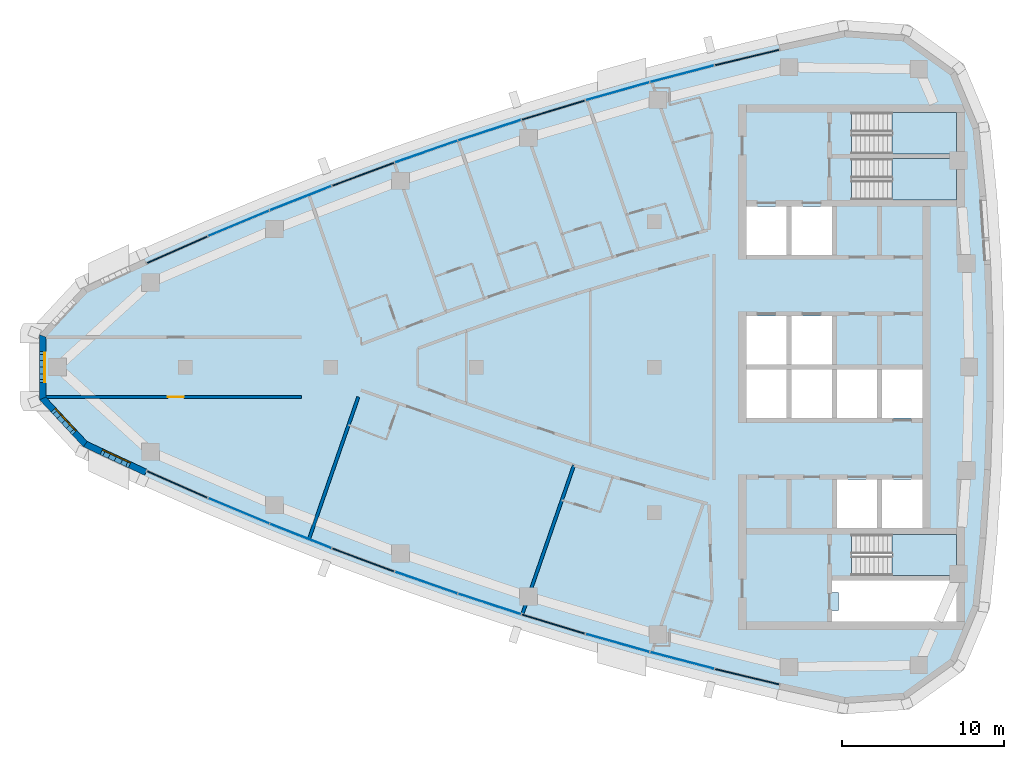
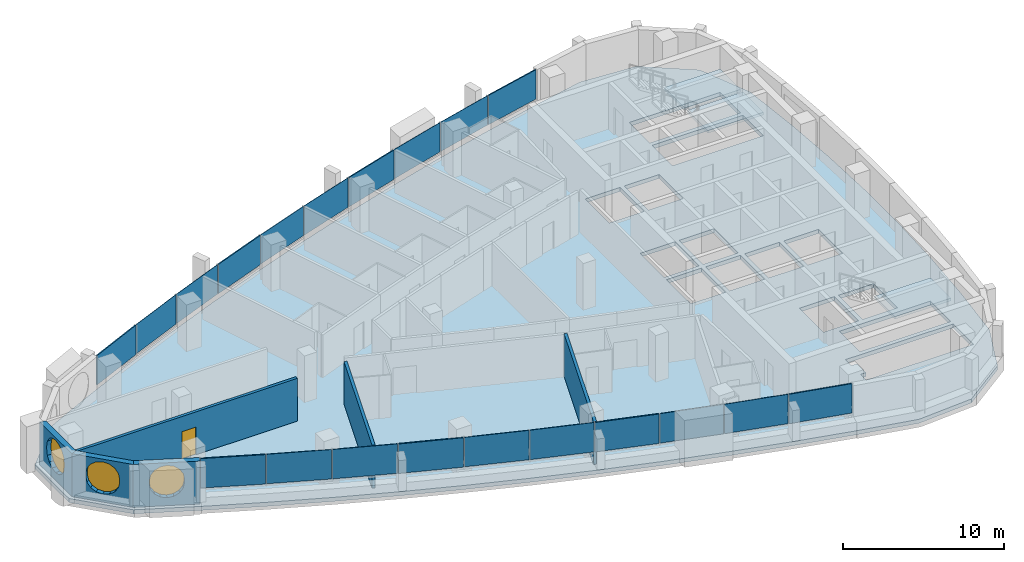
# One storey, part 6 of 14: 20 plates, 6 walls, 4 slabs, 3 windows, 1 door, 5 openings, 13 elements without a shape of their own.
"""IFC4 building model written with IfcOpenShell, lengths in metres."""

from ifc_helpers import new_model, si_unit, direction, frame, frame_2d, origin, origin_2d, place, context, subcontext, project, spatial, polyline, rectangle, outline, extrude, material, layer, layer_set, type_object, element, fill, aggregate, save


model = new_model("IFC4")

# Units and contexts
model_context = context("Model", 3, precision=1e-05, world=origin(), true_north=direction((0.0, 1.0)))
body_context = subcontext(model_context, "Body", "Model", "MODEL_VIEW")
ifc_project = project(units=[si_unit("LENGTHUNIT", "METRE"), si_unit("AREAUNIT", "SQUARE_METRE"), si_unit("VOLUMEUNIT", "CUBIC_METRE"), si_unit("PLANEANGLEUNIT", "RADIAN"), si_unit("MASSUNIT", "GRAM", prefix="KILO")], contexts=[model_context])

# Site, building, storey
site_placement = place(None, origin())
site = spatial("IfcSite", under=ifc_project, at=site_placement, CompositionType="ELEMENT")
building_placement = place(site_placement, origin())
building = spatial("IfcBuilding", under=site, at=building_placement, Name="Ostrand Prow Hotel Tower", CompositionType="ELEMENT")
storey_placement = place(building_placement, frame((0.0, 0.0, 289.199951171875)))
storey = spatial("IfcBuildingStorey", under=building, at=storey_placement, Name="L73", CompositionType="ELEMENT", Elevation=289.199951171875)

# Curtain wall, plate
ifc_material_1 = material(Name="Insulated glass in bronze anodised frame", Category="glass")
ifc_layer_1 = layer(ifc_material_1, 0.199951171875)
ifc_layer_set_1 = layer_set([ifc_layer_1], Name="Insulated glass in bronze anodised frame")
curtain_wall_type = type_object("IfcCurtainWallType", Name="Strip curtain wall, fritted glass over bronze spandrel", PredefinedType="NOTDEFINED", material=ifc_layer_set_1)
curtain_wall_1_placement = place(storey_placement, origin())
curtain_wall_1 = element("IfcCurtainWall", 1, at=curtain_wall_1_placement, inside=storey, type_object=curtain_wall_type, Name="CW1 run CWS1", PredefinedType="NOTDEFINED")
ifc_material_2 = material(Name="Ceramic-fritted glass", Category="glass")
ifc_layer_2 = layer(ifc_material_2, 0.031982421875)
ifc_layer_set_2 = layer_set([ifc_layer_2], Name="Ceramic-fritted glass")
plate_type_1 = type_object("IfcPlateType", Name="Dot-fritted ceramic glass unit 32 mm", PredefinedType="CURTAIN_PANEL", material=ifc_layer_set_2)
plate_1_placement = place(storey_placement, frame((19.297119140625, -8.893798828125, 1.02001953125), z_axis=(0.0, 0.0, 1.0), x_axis=(0.922719840955, -0.385471263659, 0.0)))
plate_1 = element("IfcPlate", 2, at=plate_1_placement, type_object=plate_type_1, Name="CW1 PN-D panel 2.2", PredefinedType="CURTAIN_PANEL", context=body_context, shape_type="SweptSolid", body=[
    extrude(rectangle(XDim=4.079833984375, YDim=0.031982421875, at=origin_2d()), origin(), (0.0, 0.0, 1.0), 2.22998046875),
])

curtain_wall_2_placement = place(storey_placement, origin())
curtain_wall_2 = element("IfcCurtainWall", 3, at=curtain_wall_2_placement, inside=storey, type_object=curtain_wall_type, Name="CW1 run CWS2", PredefinedType="NOTDEFINED")
plate_2_placement = place(storey_placement, frame((23.132568359375, -10.450927734375, 1.02001953125), z_axis=(0.0, 0.0, 1.0), x_axis=(0.930281895249, -0.366845465248, 0.0)))
plate_2 = element("IfcPlate", 4, at=plate_2_placement, type_object=plate_type_1, Name="CW1 PN-D panel 1.2", PredefinedType="CURTAIN_PANEL", context=body_context, shape_type="SweptSolid", body=[
    extrude(rectangle(XDim=4.079833984375, YDim=0.031982421875, at=origin_2d()), origin(), (0.0, 0.0, 1.0), 2.22998046875),
])

# Curtain wall, plates
curtain_wall_3_placement = place(storey_placement, origin())
curtain_wall_3 = element("IfcCurtainWall", 5, at=curtain_wall_3_placement, inside=storey, type_object=curtain_wall_type, Name="CW1 run CWS3", PredefinedType="NOTDEFINED")
plate_3_placement = place(storey_placement, frame((30.8935546875, -13.33251953125, 1.02001953125), z_axis=(0.0, 0.0, 1.0), x_axis=(0.944274730614, -0.329158370885, 0.0)))
plate_3 = element("IfcPlate", 6, at=plate_3_placement, type_object=plate_type_1, Name="CW1 PN-D panel 1.2", PredefinedType="CURTAIN_PANEL", context=body_context, shape_type="SweptSolid", body=[
    extrude(rectangle(XDim=4.079833984375, YDim=0.031982421875, at=origin_2d()), origin(), (0.0, 0.0, 1.0), 2.22998046875),
])
plate_4_placement = place(storey_placement, frame((34.81591796875, -14.65576171875, 1.02001953125), z_axis=(0.0, 0.0, 1.0), x_axis=(0.950700464612, -0.310110668289, 0.0)))
plate_4 = element("IfcPlate", 7, at=plate_4_placement, type_object=plate_type_1, Name="CW1 PN-D panel 2.2", PredefinedType="CURTAIN_PANEL", context=body_context, shape_type="SweptSolid", body=[
    extrude(rectangle(XDim=4.079833984375, YDim=0.031982421875, at=origin_2d()), origin(), (0.0, 0.0, 1.0), 2.22998046875),
])
aggregate(curtain_wall_3, [plate_3, plate_4])

# Curtain wall, plate
curtain_wall_4_placement = place(storey_placement, origin())
curtain_wall_4 = element("IfcCurtainWall", 8, at=curtain_wall_4_placement, inside=storey, type_object=curtain_wall_type, Name="CW1 run CWS4", PredefinedType="NOTDEFINED")
plate_5_placement = place(storey_placement, frame((42.736572265625, -17.064453125, 1.02001953125), z_axis=(0.0, 0.0, 1.0), x_axis=(0.962396468548, -0.271648738865, 0.0)))
plate_5 = element("IfcPlate", 9, at=plate_5_placement, type_object=plate_type_1, Name="CW1 PN-D panel 2.2", PredefinedType="CURTAIN_PANEL", context=body_context, shape_type="SweptSolid", body=[
    extrude(rectangle(XDim=4.079833984375, YDim=0.031982421875, at=origin_2d()), origin(), (0.0, 0.0, 1.0), 2.22998046875),
])

curtain_wall_5_placement = place(storey_placement, origin())
curtain_wall_5 = element("IfcCurtainWall", 10, at=curtain_wall_5_placement, inside=storey, type_object=curtain_wall_type, Name="CW1 run CWS5", PredefinedType="NOTDEFINED")
plate_6_placement = place(storey_placement, frame((46.731689453125, -18.148681640625, 1.02001953125), z_axis=(0.0, 0.0, 1.0), x_axis=(0.967662519855, -0.252248384867, 0.0)))
plate_6 = element("IfcPlate", 11, at=plate_6_placement, type_object=plate_type_1, Name="CW1 PN-D panel 1.2", PredefinedType="CURTAIN_PANEL", context=body_context, shape_type="SweptSolid", body=[
    extrude(rectangle(XDim=4.079833984375, YDim=0.031982421875, at=origin_2d()), origin(), (0.0, 0.0, 1.0), 2.22998046875),
])

curtain_wall_6_placement = place(storey_placement, origin())
curtain_wall_6 = element("IfcCurtainWall", 12, at=curtain_wall_6_placement, inside=storey, type_object=curtain_wall_type, Name="CW1 run CWN1", PredefinedType="NOTDEFINED")
plate_7_placement = place(storey_placement, frame((46.731689453125, 18.148681640625, 1.02001953125), z_axis=(0.0, 0.0, 1.0), x_axis=(-0.967662519855, -0.252248384867, 0.0)))
plate_7 = element("IfcPlate", 13, at=plate_7_placement, type_object=plate_type_1, Name="CW1 PN-D panel 2.2", PredefinedType="CURTAIN_PANEL", context=body_context, shape_type="SweptSolid", body=[
    extrude(rectangle(XDim=4.079833984375, YDim=0.031982421875, at=origin_2d()), origin(), (0.0, 0.0, 1.0), 2.22998046875),
])

curtain_wall_7_placement = place(storey_placement, origin())
curtain_wall_7 = element("IfcCurtainWall", 14, at=curtain_wall_7_placement, inside=storey, type_object=curtain_wall_type, Name="CW1 run CWN2", PredefinedType="NOTDEFINED")
plate_8_placement = place(storey_placement, frame((42.736572265625, 17.064453125, 1.02001953125), z_axis=(0.0, 0.0, 1.0), x_axis=(-0.962396468548, -0.271648738865, 0.0)))
plate_8 = element("IfcPlate", 15, at=plate_8_placement, type_object=plate_type_1, Name="CW1 PN-D panel 1.2", PredefinedType="CURTAIN_PANEL", context=body_context, shape_type="SweptSolid", body=[
    extrude(rectangle(XDim=4.079833984375, YDim=0.031982421875, at=origin_2d()), origin(), (0.0, 0.0, 1.0), 2.22998046875),
])

# Curtain wall, plates
curtain_wall_8_placement = place(storey_placement, origin())
curtain_wall_8 = element("IfcCurtainWall", 16, at=curtain_wall_8_placement, inside=storey, type_object=curtain_wall_type, Name="CW1 run CWN3", PredefinedType="NOTDEFINED")
plate_9_placement = place(storey_placement, frame((34.81591796875, 14.65576171875, 1.02001953125), z_axis=(0.0, 0.0, 1.0), x_axis=(-0.950700464612, -0.310110668289, 0.0)))
plate_9 = element("IfcPlate", 17, at=plate_9_placement, type_object=plate_type_1, Name="CW1 PN-D panel 1.2", PredefinedType="CURTAIN_PANEL", context=body_context, shape_type="SweptSolid", body=[
    extrude(rectangle(XDim=4.079833984375, YDim=0.031982421875, at=origin_2d()), origin(), (0.0, 0.0, 1.0), 2.22998046875),
])
plate_10_placement = place(storey_placement, frame((30.8935546875, 13.33251953125, 1.02001953125), z_axis=(0.0, 0.0, 1.0), x_axis=(-0.944274730614, -0.329158370885, 0.0)))
plate_10 = element("IfcPlate", 18, at=plate_10_placement, type_object=plate_type_1, Name="CW1 PN-D panel 2.2", PredefinedType="CURTAIN_PANEL", context=body_context, shape_type="SweptSolid", body=[
    extrude(rectangle(XDim=4.079833984375, YDim=0.031982421875, at=origin_2d()), origin(), (0.0, 0.0, 1.0), 2.22998046875),
])
aggregate(curtain_wall_8, [plate_9, plate_10])

# Curtain wall, plate
curtain_wall_9_placement = place(storey_placement, origin())
curtain_wall_9 = element("IfcCurtainWall", 19, at=curtain_wall_9_placement, inside=storey, type_object=curtain_wall_type, Name="CW1 run CWN4", PredefinedType="NOTDEFINED")
plate_11_placement = place(storey_placement, frame((23.132568359375, 10.450927734375, 1.02001953125), z_axis=(0.0, 0.0, 1.0), x_axis=(-0.930281895249, -0.366845465248, 0.0)))
plate_11 = element("IfcPlate", 20, at=plate_11_placement, type_object=plate_type_1, Name="CW1 PN-D panel 2.2", PredefinedType="CURTAIN_PANEL", context=body_context, shape_type="SweptSolid", body=[
    extrude(rectangle(XDim=4.079833984375, YDim=0.031982421875, at=origin_2d()), origin(), (0.0, 0.0, 1.0), 2.22998046875),
])

curtain_wall_10_placement = place(storey_placement, origin())
curtain_wall_10 = element("IfcCurtainWall", 21, at=curtain_wall_10_placement, inside=storey, type_object=curtain_wall_type, Name="CW1 run CWN5", PredefinedType="NOTDEFINED")
plate_12_placement = place(storey_placement, frame((19.297119140625, 8.893798828125, 1.02001953125), z_axis=(0.0, 0.0, 1.0), x_axis=(-0.922719840955, -0.385471263659, 0.0)))
plate_12 = element("IfcPlate", 22, at=plate_12_placement, type_object=plate_type_1, Name="CW1 PN-D panel 1.2", PredefinedType="CURTAIN_PANEL", context=body_context, shape_type="SweptSolid", body=[
    extrude(rectangle(XDim=4.079833984375, YDim=0.031982421875, at=origin_2d()), origin(), (0.0, 0.0, 1.0), 2.22998046875),
])

# Plate
ifc_material_3 = material(Name="Fritted glass in bronze vent frame", Category="glass")
ifc_layer_3 = layer(ifc_material_3, 0.080078125)
ifc_layer_set_3 = layer_set([ifc_layer_3], Name="Fritted glass in bronze vent frame")
plate_type_2 = type_object("IfcPlateType", Name="Operable vent panel 80 mm", PredefinedType="CURTAIN_PANEL", material=ifc_layer_set_3)
plate_13_placement = place(storey_placement, frame((15.493408203125, -7.259765625, 1.02001953125), z_axis=(0.0, 0.0, 1.0), x_axis=(0.914785615941, -0.403939694592, 0.0)))
plate_13 = element("IfcPlate", 23, at=plate_13_placement, type_object=plate_type_2, Name="CW1 PN-O2 panel 1.2", PredefinedType="CURTAIN_PANEL", context=body_context, shape_type="SweptSolid", body=[
    extrude(rectangle(XDim=4.079833984375, YDim=0.080078125, at=origin_2d()), origin(), (0.0, 0.0, 1.0), 2.22998046875),
])

aggregate(curtain_wall_1, [plate_13, plate_1])

plate_14_placement = place(storey_placement, frame((26.99853515625, -11.930908203125, 1.02001953125), z_axis=(0.0, 0.0, 1.0), x_axis=(0.937468017947, -0.348071422738, 0.0)))
plate_14 = element("IfcPlate", 24, at=plate_14_placement, type_object=plate_type_2, Name="CW1 PN-O2 panel 2.2", PredefinedType="CURTAIN_PANEL", context=body_context, shape_type="SweptSolid", body=[
    extrude(rectangle(XDim=4.079833984375, YDim=0.080078125, at=origin_2d()), origin(), (0.0, 0.0, 1.0), 2.22998046875),
])

aggregate(curtain_wall_2, [plate_2, plate_14])

plate_15_placement = place(storey_placement, frame((38.76416015625, -15.89990234375, 1.02001953125), z_axis=(0.0, 0.0, 1.0), x_axis=(0.956742015769, -0.290937648411, 0.0)))
plate_15 = element("IfcPlate", 25, at=plate_15_placement, type_object=plate_type_2, Name="CW1 PN-O2 panel 1.2", PredefinedType="CURTAIN_PANEL", context=body_context, shape_type="SweptSolid", body=[
    extrude(rectangle(XDim=4.079833984375, YDim=0.080078125, at=origin_2d()), origin(), (0.0, 0.0, 1.0), 2.22998046875),
])

aggregate(curtain_wall_4, [plate_15, plate_5])

plate_16_placement = place(storey_placement, frame((50.74755859375, -19.152587890625, 1.02001953125), z_axis=(0.0, 0.0, 1.0), x_axis=(0.972537533869, -0.232746096028, 0.0)))
plate_16 = element("IfcPlate", 26, at=plate_16_placement, type_object=plate_type_2, Name="CW1 PN-O2 panel 2.2", PredefinedType="CURTAIN_PANEL", context=body_context, shape_type="SweptSolid", body=[
    extrude(rectangle(XDim=4.079833984375, YDim=0.080078125, at=origin_2d()), origin(), (0.0, 0.0, 1.0), 2.22998046875),
])

aggregate(curtain_wall_5, [plate_6, plate_16])

plate_17_placement = place(storey_placement, frame((50.74755859375, 19.152587890625, 1.02001953125), z_axis=(0.0, 0.0, 1.0), x_axis=(-0.972537533869, -0.232746096028, 0.0)))
plate_17 = element("IfcPlate", 27, at=plate_17_placement, type_object=plate_type_2, Name="CW1 PN-O2 panel 1.2", PredefinedType="CURTAIN_PANEL", context=body_context, shape_type="SweptSolid", body=[
    extrude(rectangle(XDim=4.079833984375, YDim=0.080078125, at=origin_2d()), origin(), (0.0, 0.0, 1.0), 2.22998046875),
])

aggregate(curtain_wall_6, [plate_17, plate_7])

plate_18_placement = place(storey_placement, frame((38.76416015625, 15.89990234375, 1.02001953125), z_axis=(0.0, 0.0, 1.0), x_axis=(-0.956742015769, -0.290937648411, 0.0)))
plate_18 = element("IfcPlate", 28, at=plate_18_placement, type_object=plate_type_2, Name="CW1 PN-O2 panel 2.2", PredefinedType="CURTAIN_PANEL", context=body_context, shape_type="SweptSolid", body=[
    extrude(rectangle(XDim=4.079833984375, YDim=0.080078125, at=origin_2d()), origin(), (0.0, 0.0, 1.0), 2.22998046875),
])

aggregate(curtain_wall_7, [plate_8, plate_18])

plate_19_placement = place(storey_placement, frame((26.99853515625, 11.930908203125, 1.02001953125), z_axis=(0.0, 0.0, 1.0), x_axis=(-0.937468017947, -0.348071422738, 0.0)))
plate_19 = element("IfcPlate", 29, at=plate_19_placement, type_object=plate_type_2, Name="CW1 PN-O2 panel 1.2", PredefinedType="CURTAIN_PANEL", context=body_context, shape_type="SweptSolid", body=[
    extrude(rectangle(XDim=4.079833984375, YDim=0.080078125, at=origin_2d()), origin(), (0.0, 0.0, 1.0), 2.22998046875),
])

aggregate(curtain_wall_9, [plate_19, plate_11])

plate_20_placement = place(storey_placement, frame((15.493408203125, 7.259765625, 1.02001953125), z_axis=(0.0, 0.0, 1.0), x_axis=(-0.914785615941, -0.403939694592, 0.0)))
plate_20 = element("IfcPlate", 30, at=plate_20_placement, type_object=plate_type_2, Name="CW1 PN-O2 panel 2.2", PredefinedType="CURTAIN_PANEL", context=body_context, shape_type="SweptSolid", body=[
    extrude(rectangle(XDim=4.079833984375, YDim=0.080078125, at=origin_2d()), origin(), (0.0, 0.0, 1.0), 2.22998046875),
])

aggregate(curtain_wall_10, [plate_12, plate_20])

# Slab, opening
ifc_material_4 = material(Name="Concrete C40/50", Category="concrete")
ifc_layer_4 = layer(ifc_material_4, 0.300048828125)
ifc_layer_set_4 = layer_set([ifc_layer_4], Name="Concrete C40/50")
slab_type_1 = type_object("IfcSlabType", Name="PT flat plate 300 C40/50", PredefinedType="FLOOR", material=ifc_layer_set_4)
slab_1_placement = place(storey_placement, frame((0.0, 0.0, -0.300048828125)))
slab_1 = element("IfcSlab", 31, at=slab_1_placement, inside=storey, type_object=slab_type_1, Name="Floor slab L73-1", PredefinedType="FLOOR", context=body_context, shape_type="SweptSolid", body=[
    extrude(outline(polyline([(9.560791015625, 5.168212890625), (13.365478515625, 6.9404296875), (17.1630859375, 8.6171875), (20.993408203125, 10.21728515625), (24.855224609375, 11.740234375), (28.746826171875, 13.185302734375), (32.666748046875, 14.551513671875), (36.61328125, 15.8388671875), (40.5849609375, 17.046630859375), (44.580078125, 18.17431640625), (48.596923828125, 19.221435546875), (52.634033203125, 20.187744140625), (56.72265625, 21.07958984375), (60.634765625, 20.80029296875), (63.84765625, 18.49072265625), (65.35888671875, 14.87060546875), (65.796875, 10.611083984375), (66.0869140625, 6.37158203125), (66.23193359375, 2.124755859375), (66.23193359375, -2.124755859375), (66.0869140625, -6.37158203125), (65.796875, -10.611083984375), (65.35888671875, -14.87060546875), (63.84765625, -18.49072265625), (60.634765625, -20.80029296875), (56.72265625, -21.07958984375), (52.634033203125, -20.187744140625), (48.596923828125, -19.221435546875), (44.580078125, -18.17431640625), (40.5849609375, -17.046630859375), (36.61328125, -15.8388671875), (32.666748046875, -14.551513671875), (28.746826171875, -13.185302734375), (24.855224609375, -11.740234375), (20.993408203125, -10.21728515625), (17.1630859375, -8.6171875), (13.365478515625, -6.9404296875), (9.560791015625, -5.168212890625), (6.71484375, -2.112548828125), (6.71484375, 2.112548828125), (9.560791015625, 5.168212890625)]), holes=[polyline([(50.699951171875, 6.949951171875), (53.199951171875, 6.949951171875), (53.199951171875, 9.949951171875), (50.699951171875, 9.949951171875), (50.699951171875, 6.949951171875)]), polyline([(53.5, 6.949951171875), (56.0, 6.949951171875), (56.0, 9.949951171875), (53.5, 9.949951171875), (53.5, 6.949951171875)]), polyline([(50.699951171875, 0.14990234375), (53.199951171875, 0.14990234375), (53.199951171875, 3.14990234375), (50.699951171875, 3.14990234375), (50.699951171875, 0.14990234375)]), polyline([(53.5, 0.14990234375), (56.0, 0.14990234375), (56.0, 3.14990234375), (53.5, 3.14990234375), (53.5, 0.14990234375)]), polyline([(50.699951171875, -3.14990234375), (53.199951171875, -3.14990234375), (53.199951171875, -0.14990234375), (50.699951171875, -0.14990234375), (50.699951171875, -3.14990234375)]), polyline([(53.5, -3.14990234375), (56.0, -3.14990234375), (56.0, -0.14990234375), (53.5, -0.14990234375), (53.5, -3.14990234375)]), polyline([(56.300048828125, -3.14990234375), (58.800048828125, -3.14990234375), (58.800048828125, -0.14990234375), (56.300048828125, -0.14990234375), (56.300048828125, -3.14990234375)]), polyline([(59.10009765625, -3.14990234375), (61.60009765625, -3.14990234375), (61.60009765625, -0.14990234375), (59.10009765625, -0.14990234375), (59.10009765625, -3.14990234375)]), polyline([(56.300048828125, -9.949951171875), (58.800048828125, -9.949951171875), (58.800048828125, -6.949951171875), (56.300048828125, -6.949951171875), (56.300048828125, -9.949951171875)]), polyline([(59.10009765625, -9.949951171875), (61.60009765625, -9.949951171875), (61.60009765625, -6.949951171875), (59.10009765625, -6.949951171875), (59.10009765625, -9.949951171875)]), polyline([(57.200927734375, 10.35107421875), (57.200927734375, 12.89892578125), (63.718994140625, 12.89892578125), (63.718994140625, 10.35107421875), (57.200927734375, 10.35107421875)]), polyline([(57.200927734375, 13.200927734375), (57.200927734375, 15.7490234375), (63.718994140625, 15.7490234375), (63.718994140625, 13.200927734375), (57.200927734375, 13.200927734375)]), polyline([(57.200927734375, -12.89892578125), (57.200927734375, -10.35107421875), (63.718994140625, -10.35107421875), (63.718994140625, -12.89892578125), (57.200927734375, -12.89892578125)]), polyline([(56.0, -13.949951171875), (56.0, -13.199951171875), (63.719970703125, -13.199951171875), (63.719970703125, -15.75), (56.0, -15.75), (56.0, -15.050048828125), (56.39990234375, -15.050048828125), (56.39990234375, -13.949951171875), (56.0, -13.949951171875)])]), origin(), (0.0, 0.0, 1.0), 0.300048828125),
])
opening_1_placement = place(slab_1_placement, origin())
element("IfcOpeningElement", 32, at=opening_1_placement, cuts=slab_1, Name="Shaft opening 1", PredefinedType="OPENING", context=body_context, shape_type="SweptSolid", body=[
    extrude(outline(polyline([(56.0, -13.949951171875), (56.0, -13.199951171875), (63.719970703125, -13.199951171875), (63.719970703125, -15.75), (56.0, -15.75), (56.0, -15.050048828125), (56.39990234375, -15.050048828125), (56.39990234375, -13.949951171875), (56.0, -13.949951171875)])), origin(), (0.0, 0.0, 1.0), 0.300048828125),
])

# Stair, slab
ifc_material_5 = material(Name="Concrete C40/50", Category="concrete")
stair_type = type_object("IfcStairType", Name="Exit stair 1200 upper zone", PredefinedType="HALF_TURN_STAIR", material=ifc_material_5)
stair_1_placement = place(storey_placement, origin())
stair_1 = element("IfcStair", 33, at=stair_1_placement, inside=storey, type_object=stair_type, Name="L73 ST1C", PredefinedType="HALF_TURN_STAIR")
ifc_material_6 = material(Name="Concrete C40/50", Category="concrete")
ifc_layer_5 = layer(ifc_material_6, 0.199951171875)
ifc_layer_set_5 = layer_set([ifc_layer_5], Name="Concrete C40/50")
slab_type_2 = type_object("IfcSlabType", Name="Stair landing 200 concrete", PredefinedType="LANDING", material=ifc_layer_set_5)
slab_2_placement = place(storey_placement, frame((0.0, 0.0, 1.574951171875)))
slab_2 = element("IfcSlab", 34, at=slab_2_placement, type_object=slab_type_2, Name="ST1C landing 1", PredefinedType="LANDING", context=body_context, shape_type="SweptSolid", body=[
    extrude(outline(polyline([(59.719970703125, 10.35009765625), (63.719970703125, 10.35009765625), (63.719970703125, 12.89990234375), (59.719970703125, 12.89990234375), (59.719970703125, 10.35009765625)])), origin(), (0.0, 0.0, 1.0), 0.2001953125),
])
aggregate(stair_1, [slab_2])

stair_2_placement = place(storey_placement, origin())
stair_2 = element("IfcStair", 35, at=stair_2_placement, inside=storey, type_object=stair_type, Name="L73 ST3C", PredefinedType="HALF_TURN_STAIR")
slab_3_placement = place(storey_placement, frame((0.0, 0.0, 1.574951171875)))
slab_3 = element("IfcSlab", 36, at=slab_3_placement, type_object=slab_type_2, Name="ST3C landing 1", PredefinedType="LANDING", context=body_context, shape_type="SweptSolid", body=[
    extrude(outline(polyline([(59.719970703125, 13.199951171875), (63.719970703125, 13.199951171875), (63.719970703125, 15.75), (59.719970703125, 15.75), (59.719970703125, 13.199951171875)])), origin(), (0.0, 0.0, 1.0), 0.2001953125),
])
aggregate(stair_2, [slab_3])

stair_3_placement = place(storey_placement, origin())
stair_3 = element("IfcStair", 37, at=stair_3_placement, inside=storey, type_object=stair_type, Name="L73 ST2C", PredefinedType="HALF_TURN_STAIR")
slab_4_placement = place(storey_placement, frame((0.0, 0.0, 1.574951171875)))
slab_4 = element("IfcSlab", 38, at=slab_4_placement, type_object=slab_type_2, Name="ST2C landing 1", PredefinedType="LANDING", context=body_context, shape_type="SweptSolid", body=[
    extrude(outline(polyline([(59.719970703125, -12.89990234375), (63.719970703125, -12.89990234375), (63.719970703125, -10.35009765625), (59.719970703125, -10.35009765625), (59.719970703125, -12.89990234375)])), origin(), (0.0, 0.0, 1.0), 0.2001953125),
])
aggregate(stair_3, [slab_4])

# Wall, opening, door
ifc_material_7 = material(Name="Plasterboard partition")
ifc_layer_6 = layer(ifc_material_7, 0.199951171875)
ifc_layer_set_6 = layer_set([ifc_layer_6], Name="Plasterboard partition")
wall_type_1 = type_object("IfcWallType", Name="Partition 200 corridor wall", PredefinedType="PARTITIONING", material=ifc_layer_set_6)
wall_1_placement = place(storey_placement, frame((7.287109375, -1.85009765625, 0.0), z_axis=(0.0, 0.0, 1.0), x_axis=(1.0, 0.0, 0.0)))
wall_1 = element("IfcWall", 39, at=wall_1_placement, inside=storey, type_object=wall_type_1, Name="CORRIDOR WALL", PredefinedType="PARTITIONING", context=body_context, shape_type="SweptSolid", body=[
    extrude(rectangle(XDim=15.898681640625, YDim=0.199951171875, at=frame_2d((7.94921875, 0.0))), origin(), (0.0, 0.0, 1.0), 3.25),
])
opening_2_placement = place(wall_1_placement, frame((7.6240234375, 0.0, 0.0)))
opening_2 = element("IfcOpeningElement", 40, at=opening_2_placement, cuts=wall_1, Name="Opening D1R", PredefinedType="OPENING", context=body_context, shape_type="SweptSolid", body=[
    extrude(rectangle(XDim=1.0, YDim=2.10009765625, at=frame_2d((0.5, 1.050048828125))), frame((0.0, 0.10986328125, 0.0), z_axis=(0.0, -1.0, 0.0), x_axis=(1.0, 0.0, 0.0)), (0.0, 0.0, 1.0), 0.219970703125),
])
ifc_material_8 = material(Name="Timber door leaf", Category="wood")
door_type = type_object("IfcDoorType", Name="Guest room door 1000 right", OperationType="SINGLE_SWING_RIGHT", PredefinedType="DOOR", material=ifc_material_8)
door_placement = place(opening_2_placement, origin())
door = element("IfcDoor", 41, at=door_placement, inside=storey, type_object=door_type, Name="DOOR", OperationType="SINGLE_SWING_RIGHT", OverallHeight=2.10009765625, OverallWidth=1.0, PredefinedType="DOOR", context=body_context, shape_type="SweptSolid", body=[
    extrude(rectangle(XDim=1.0, YDim=2.10009765625, at=frame_2d((0.5, 1.050048828125))), frame((0.0, 0.02490234375, 0.0), z_axis=(0.0, -1.0, 0.0), x_axis=(1.0, 0.0, 0.0)), (0.0, 0.0, 1.0), 0.050048828125),
])
fill(opening_2, door)

# Walls
ifc_material_9 = material(Name="Plasterboard partition")
ifc_layer_7 = layer(ifc_material_9, 0.199951171875)
ifc_layer_set_7 = layer_set([ifc_layer_7], Name="Plasterboard partition")
wall_type_2 = type_object("IfcWallType", Name="Partition 200 key partition", PredefinedType="PARTITIONING", material=ifc_layer_set_7)
wall_2_placement = place(storey_placement, frame((23.66845703125, -10.573486328125, 0.0), z_axis=(0.0, 0.0, 1.0), x_axis=(0.327714422317, 0.944776829418, 0.0)))
element("IfcWall", 42, at=wall_2_placement, inside=storey, type_object=wall_type_2, Name="KEY PARTITION", PredefinedType="PARTITIONING", context=body_context, shape_type="SweptSolid", body=[
    extrude(rectangle(XDim=9.2333984375, YDim=0.199951171875, at=frame_2d((4.61669921875, 0.0))), origin(), (0.0, 0.0, 1.0), 3.25),
])
wall_3_placement = place(storey_placement, frame((36.86083984375, -15.23486328125, 0.0), z_axis=(0.0, 0.0, 1.0), x_axis=(0.327710853631, 0.944778067279, 0.0)))
element("IfcWall", 43, at=wall_3_placement, inside=storey, type_object=wall_type_2, Name="KEY PARTITION", PredefinedType="PARTITIONING", context=body_context, shape_type="SweptSolid", body=[
    extrude(rectangle(XDim=9.707275390625, YDim=0.199951171875, at=frame_2d((4.853515625, 0.0))), origin(), (0.0, 0.0, 1.0), 3.25),
])

# Wall, opening, window
ifc_material_10 = material(Name="Precast concrete C40/50", Category="concrete")
ifc_layer_8 = layer(ifc_material_10, 0.39990234375)
ifc_layer_set_8 = layer_set([ifc_layer_8], Name="Precast concrete C40/50")
wall_type_3 = type_object("IfcWallType", Name="Stone-faced precast wall 400 mm", PredefinedType="NOTDEFINED", material=ifc_layer_set_8)
wall_4_placement = place(storey_placement, frame((7.167236328125, 1.9345703125, 0.0), z_axis=(0.0, 0.0, 1.0), x_axis=(0.0, -1.0, 0.0)))
wall_4 = element("IfcWall", 44, at=wall_4_placement, inside=storey, type_object=wall_type_3, Name="Stone-faced wall prow 3", PredefinedType="NOTDEFINED", context=body_context, shape_type="SweptSolid", body=[
    extrude(outline(polyline([(-0.07861328125, -0.199951171875), (3.94775390625, -0.199951171875), (3.79052734375, 0.199951171875), (0.07861328125, 0.199951171875), (-0.07861328125, -0.199951171875)])), origin(), (0.0, 0.0, 1.0), 3.25),
])
opening_3_placement = place(wall_4_placement, frame((0.834716796875, 0.0, 0.60009765625)))
opening_3 = element("IfcOpeningElement", 45, at=opening_3_placement, cuts=wall_4, Name="Opening WP1", PredefinedType="OPENING", context=body_context, shape_type="SweptSolid", body=[
    extrude(outline(polyline([(0.0, 1.35009765625), (0.083740234375, 1.77099609375), (0.322265625, 2.127685546875), (0.678955078125, 2.3662109375), (1.10009765625, 2.449951171875), (1.52099609375, 2.3662109375), (1.877685546875, 2.127685546875), (2.1162109375, 1.77099609375), (2.199951171875, 1.35009765625), (2.199951171875, 1.10009765625), (2.1162109375, 0.678955078125), (1.877685546875, 0.322265625), (1.52099609375, 0.083740234375), (1.10009765625, 0.0), (0.678955078125, 0.083740234375), (0.322265625, 0.322265625), (0.083740234375, 0.678955078125), (0.0, 1.099853515625), (0.0, 1.35009765625)])), frame((0.0, 0.2099609375, 0.0), z_axis=(0.0, -1.0, 0.0), x_axis=(1.0, 0.0, 0.0)), (0.0, 0.0, 1.0), 0.419921875),
])
ifc_material_11 = material(Name="Insulated glass in bronze frame", Category="glass")
window_type = type_object("IfcWindowType", Name="Round-ended prow window 2200x2450", PartitioningType="SINGLE_PANEL", PredefinedType="WINDOW", material=ifc_material_11)
window_1_placement = place(opening_3_placement, origin())
window_1 = element("IfcWindow", 46, at=window_1_placement, inside=storey, type_object=window_type, Name="Window prow 3.1", OverallHeight=2.449951171875, OverallWidth=2.199951171875, PartitioningType="SINGLE_PANEL", PredefinedType="WINDOW", context=body_context, shape_type="SweptSolid", body=[
    extrude(outline(polyline([(0.0, 1.35009765625), (0.083740234375, 1.77099609375), (0.322265625, 2.127685546875), (0.678955078125, 2.3662109375), (1.10009765625, 2.449951171875), (1.52099609375, 2.3662109375), (1.877685546875, 2.127685546875), (2.1162109375, 1.77099609375), (2.199951171875, 1.35009765625), (2.199951171875, 1.10009765625), (2.1162109375, 0.678955078125), (1.877685546875, 0.322265625), (1.52099609375, 0.083740234375), (1.10009765625, 0.0), (0.678955078125, 0.083740234375), (0.322265625, 0.322265625), (0.083740234375, 0.678955078125), (0.0, 1.099853515625), (0.0, 1.35009765625)])), frame((0.0, 0.169921875, 0.0), z_axis=(0.0, -1.0, 0.0), x_axis=(1.0, 0.0, 0.0)), (0.0, 0.0, 1.0), 0.06005859375),
])
fill(opening_3, window_1)

wall_5_placement = place(storey_placement, frame((7.167236328125, -1.9345703125, 0.0), z_axis=(0.0, 0.0, 1.0), x_axis=(0.6815467277, -0.73177459505, 0.0)))
wall_5 = element("IfcWall", 47, at=wall_5_placement, inside=storey, type_object=wall_type_3, Name="Stone-faced wall prow 4", PredefinedType="NOTDEFINED", context=body_context, shape_type="SweptSolid", body=[
    extrude(outline(polyline([(-0.07861328125, -0.199951171875), (3.908203125, -0.199951171875), (3.830078125, 0.199951171875), (0.07861328125, 0.199951171875), (-0.07861328125, -0.199951171875)])), origin(), (0.0, 0.0, 1.0), 3.25),
])
opening_4_placement = place(wall_5_placement, frame((0.834716796875, 0.0, 0.60009765625)))
opening_4 = element("IfcOpeningElement", 48, at=opening_4_placement, cuts=wall_5, Name="Opening WP1", PredefinedType="OPENING", context=body_context, shape_type="SweptSolid", body=[
    extrude(outline(polyline([(0.0, 1.35009765625), (0.083740234375, 1.77099609375), (0.322265625, 2.127685546875), (0.678955078125, 2.3662109375), (1.10009765625, 2.449951171875), (1.52099609375, 2.3662109375), (1.877685546875, 2.127685546875), (2.1162109375, 1.77099609375), (2.199951171875, 1.35009765625), (2.199951171875, 1.10009765625), (2.1162109375, 0.678955078125), (1.877685546875, 0.322265625), (1.52099609375, 0.083740234375), (1.10009765625, 0.0), (0.678955078125, 0.083740234375), (0.322265625, 0.322265625), (0.083740234375, 0.678955078125), (0.0, 1.099853515625), (0.0, 1.35009765625)])), frame((0.0, 0.2099609375, 0.0), z_axis=(0.0, -1.0, 0.0), x_axis=(1.0, 0.0, 0.0)), (0.0, 0.0, 1.0), 0.419921875),
])
window_2_placement = place(opening_4_placement, origin())
window_2 = element("IfcWindow", 49, at=window_2_placement, inside=storey, type_object=window_type, Name="Window prow 4.1", OverallHeight=2.449951171875, OverallWidth=2.199951171875, PartitioningType="SINGLE_PANEL", PredefinedType="WINDOW", context=body_context, shape_type="SweptSolid", body=[
    extrude(outline(polyline([(0.0, 1.35009765625), (0.083740234375, 1.77099609375), (0.322265625, 2.127685546875), (0.678955078125, 2.3662109375), (1.10009765625, 2.449951171875), (1.52099609375, 2.3662109375), (1.877685546875, 2.127685546875), (2.1162109375, 1.77099609375), (2.199951171875, 1.35009765625), (2.199951171875, 1.10009765625), (2.1162109375, 0.678955078125), (1.877685546875, 0.322265625), (1.52099609375, 0.083740234375), (1.10009765625, 0.0), (0.678955078125, 0.083740234375), (0.322265625, 0.322265625), (0.083740234375, 0.678955078125), (0.0, 1.099853515625), (0.0, 1.35009765625)])), frame((0.0, 0.169921875, 0.0), z_axis=(0.0, -1.0, 0.0), x_axis=(1.0, 0.0, 0.0)), (0.0, 0.0, 1.0), 0.06005859375),
])
fill(opening_4, window_2)

wall_6_placement = place(storey_placement, frame((9.80419921875, -4.765869140625, 0.0), z_axis=(0.0, 0.0, 1.0), x_axis=(0.906485602396, -0.42223672584, 0.0)))
wall_6 = element("IfcWall", 50, at=wall_6_placement, inside=storey, type_object=wall_type_3, Name="Stone-faced wall prow 5", PredefinedType="NOTDEFINED", context=body_context, shape_type="SweptSolid", body=[
    extrude(outline(polyline([(-0.0390625, -0.199951171875), (4.1416015625, -0.199951171875), (4.1416015625, 0.199951171875), (0.0390625, 0.199951171875), (-0.0390625, -0.199951171875)])), origin(), (0.0, 0.0, 1.0), 3.25),
])
opening_5_placement = place(wall_6_placement, frame((0.970947265625, 0.0, 0.60009765625)))
opening_5 = element("IfcOpeningElement", 51, at=opening_5_placement, cuts=wall_6, Name="Opening WP1", PredefinedType="OPENING", context=body_context, shape_type="SweptSolid", body=[
    extrude(outline(polyline([(0.0, 1.35009765625), (0.083740234375, 1.77099609375), (0.322265625, 2.127685546875), (0.678955078125, 2.3662109375), (1.10009765625, 2.449951171875), (1.52099609375, 2.3662109375), (1.877685546875, 2.127685546875), (2.1162109375, 1.77099609375), (2.199951171875, 1.35009765625), (2.199951171875, 1.10009765625), (2.1162109375, 0.678955078125), (1.877685546875, 0.322265625), (1.52099609375, 0.083740234375), (1.10009765625, 0.0), (0.678955078125, 0.083740234375), (0.322265625, 0.322265625), (0.083740234375, 0.678955078125), (0.0, 1.099853515625), (0.0, 1.35009765625)])), frame((0.0, 0.2099609375, 0.0), z_axis=(0.0, -1.0, 0.0), x_axis=(1.0, 0.0, 0.0)), (0.0, 0.0, 1.0), 0.419921875),
])
window_3_placement = place(opening_5_placement, origin())
window_3 = element("IfcWindow", 52, at=window_3_placement, inside=storey, type_object=window_type, Name="Window prow 5.1", OverallHeight=2.449951171875, OverallWidth=2.199951171875, PartitioningType="SINGLE_PANEL", PredefinedType="WINDOW", context=body_context, shape_type="SweptSolid", body=[
    extrude(outline(polyline([(0.0, 1.35009765625), (0.083740234375, 1.77099609375), (0.322265625, 2.127685546875), (0.678955078125, 2.3662109375), (1.10009765625, 2.449951171875), (1.52099609375, 2.3662109375), (1.877685546875, 2.127685546875), (2.1162109375, 1.77099609375), (2.199951171875, 1.35009765625), (2.199951171875, 1.10009765625), (2.1162109375, 0.678955078125), (1.877685546875, 0.322265625), (1.52099609375, 0.083740234375), (1.10009765625, 0.0), (0.678955078125, 0.083740234375), (0.322265625, 0.322265625), (0.083740234375, 0.678955078125), (0.0, 1.099853515625), (0.0, 1.35009765625)])), frame((0.0, 0.169921875, 0.0), z_axis=(0.0, -1.0, 0.0), x_axis=(1.0, 0.0, 0.0)), (0.0, 0.0, 1.0), 0.06005859375),
])
fill(opening_5, window_3)

save(model, "model.ifc")
